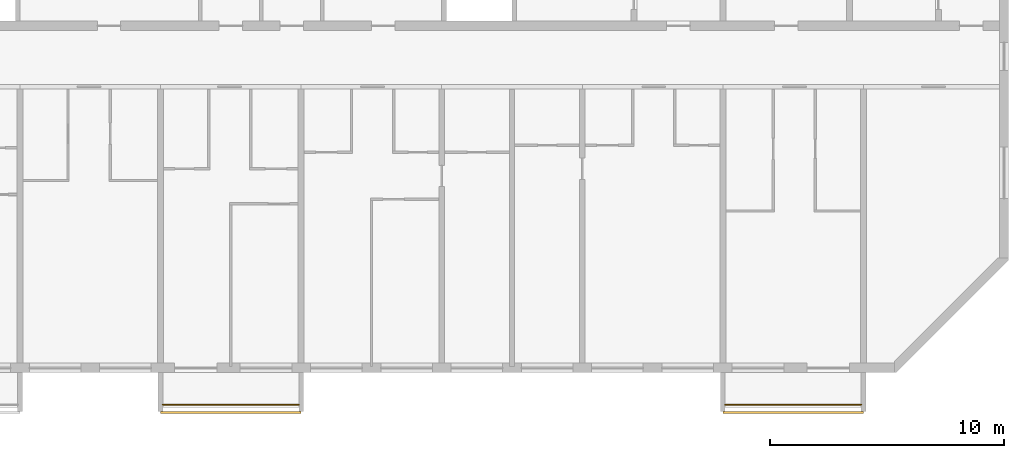
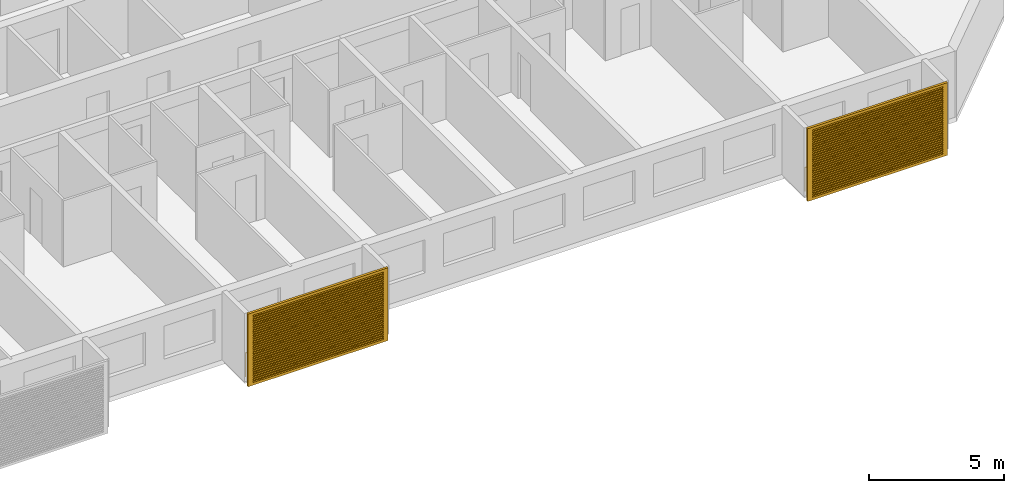
# One storey, part 14 of 27: 2 railings, 2 shading devices.
"""IFC4 building model written with IfcOpenShell, lengths in metres."""

from ifc_helpers import new_model, si_unit, direction, frame, origin, origin_2d, place, context, subcontext, project, spatial, polyline, circle, outline, extrude, source, transform, mapped, material, material_profile, profile_set, type_object, element, save


model = new_model("IFC4")

# Units and contexts
model_context = context("Model", 3, precision=1e-05, world=origin(), true_north=direction((0.0, 1.0)))
body_context = subcontext(model_context, "Body", "Model", "MODEL_VIEW")
ifc_project = project(units=[si_unit("LENGTHUNIT", "METRE"), si_unit("AREAUNIT", "SQUARE_METRE"), si_unit("VOLUMEUNIT", "CUBIC_METRE"), si_unit("PLANEANGLEUNIT", "RADIAN"), si_unit("MASSUNIT", "GRAM", prefix="KILO")], contexts=[model_context])

# Site, building, storey
site_placement = place(None, origin())
site = spatial("IfcSite", under=ifc_project, at=site_placement, CompositionType="ELEMENT")
building_placement = place(site_placement, origin())
building = spatial("IfcBuilding", under=site, at=building_placement, Name="Poui Terraces", CompositionType="ELEMENT")
storey_placement = place(building_placement, frame((0.0, 0.0, 208.199951171875)))
storey = spatial("IfcBuildingStorey", under=building, at=storey_placement, Name="L58", CompositionType="ELEMENT", Elevation=208.199951171875)

# Railings
ifc_material_1 = material(Name="Painted steel fretwork", Category="steel")
railing_type = type_object("IfcRailingType", Name="BALCONY GUARD 1100", PredefinedType="GUARDRAIL", material=ifc_material_1)
for number, where, name in (
    (1, (48.10009765625, -1.570068359375, 0.0), "BALCONY GUARD"),
    (2, (72.10009765625, -1.570068359375, 0.0), "BALCONY GUARD"),
):
    element("IfcRailing", number, at=place(storey_placement, frame(where)), inside=storey, type_object=railing_type, Name=name, PredefinedType="GUARDRAIL", context=body_context, shape_type="SweptSolid", body=[
        extrude(circle(Radius=0.02392578125, at=origin_2d()), frame((0.0, 0.0, 1.076171875), z_axis=(1.0, 0.0, 0.0), x_axis=(0.0, 1.0, 0.0)), (0.0, 0.0, 1.0), 5.7998046875),
        extrude(circle(Radius=0.02099609375, at=origin_2d()), origin(), (0.0, 0.0, 1.0), 1.052001953125),
        extrude(circle(Radius=0.02099609375, at=origin_2d()), frame((0.966552734375, 0.0, 0.0)), (0.0, 0.0, 1.0), 1.052001953125),
        extrude(circle(Radius=0.02099609375, at=origin_2d()), frame((1.933349609375, 0.0, 0.0)), (0.0, 0.0, 1.0), 1.052001953125),
        extrude(circle(Radius=0.02099609375, at=origin_2d()), frame((2.89990234375, 0.0, 0.0)), (0.0, 0.0, 1.0), 1.052001953125),
        extrude(circle(Radius=0.02099609375, at=origin_2d()), frame((3.866455078125, 0.0, 0.0)), (0.0, 0.0, 1.0), 1.052001953125),
        extrude(circle(Radius=0.02099609375, at=origin_2d()), frame((4.833251953125, 0.0, 0.0)), (0.0, 0.0, 1.0), 1.052001953125),
        extrude(circle(Radius=0.02099609375, at=origin_2d()), frame((5.7998046875, 0.0, 0.0)), (0.0, 0.0, 1.0), 1.052001953125),
    ])

# Shading devices
ifc_material_2 = material(Name="Aluminium louvre", Category="aluminium")
ifc_material_profile = material_profile(ifc_material_2, outline(polyline([(-3.0, -1.64990234375), (3.0, -1.64990234375), (3.0, 1.64990234375), (-3.0, 1.64990234375), (-3.0, -1.64990234375)]), holes=[polyline([(-2.800048828125, -1.530029296875), (2.800048828125, -1.530029296875), (2.800048828125, -1.469970703125), (-2.800048828125, -1.469970703125), (-2.800048828125, -1.530029296875)]), polyline([(-2.800048828125, -1.429931640625), (2.800048828125, -1.429931640625), (2.800048828125, -1.3701171875), (-2.800048828125, -1.3701171875), (-2.800048828125, -1.429931640625)]), polyline([(-2.800048828125, -1.330078125), (2.800048828125, -1.330078125), (2.800048828125, -1.27001953125), (-2.800048828125, -1.27001953125), (-2.800048828125, -1.330078125)]), polyline([(-2.800048828125, -1.22998046875), (2.800048828125, -1.22998046875), (2.800048828125, -1.169921875), (-2.800048828125, -1.169921875), (-2.800048828125, -1.22998046875)]), polyline([(-2.800048828125, -1.1298828125), (2.800048828125, -1.1298828125), (2.800048828125, -1.070068359375), (-2.800048828125, -1.070068359375), (-2.800048828125, -1.1298828125)]), polyline([(-2.800048828125, -1.030029296875), (2.800048828125, -1.030029296875), (2.800048828125, -0.969970703125), (-2.800048828125, -0.969970703125), (-2.800048828125, -1.030029296875)]), polyline([(-2.800048828125, -0.929931640625), (2.800048828125, -0.929931640625), (2.800048828125, -0.8701171875), (-2.800048828125, -0.8701171875), (-2.800048828125, -0.929931640625)]), polyline([(-2.800048828125, -0.830078125), (2.800048828125, -0.830078125), (2.800048828125, -0.77001953125), (-2.800048828125, -0.77001953125), (-2.800048828125, -0.830078125)]), polyline([(-2.800048828125, -0.72998046875), (2.800048828125, -0.72998046875), (2.800048828125, -0.669921875), (-2.800048828125, -0.669921875), (-2.800048828125, -0.72998046875)]), polyline([(-2.800048828125, -0.6298828125), (2.800048828125, -0.6298828125), (2.800048828125, -0.570068359375), (-2.800048828125, -0.570068359375), (-2.800048828125, -0.6298828125)]), polyline([(-2.800048828125, -0.530029296875), (2.800048828125, -0.530029296875), (2.800048828125, -0.469970703125), (-2.800048828125, -0.469970703125), (-2.800048828125, -0.530029296875)]), polyline([(-2.800048828125, -0.429931640625), (2.800048828125, -0.429931640625), (2.800048828125, -0.3701171875), (-2.800048828125, -0.3701171875), (-2.800048828125, -0.429931640625)]), polyline([(-2.800048828125, -0.330078125), (2.800048828125, -0.330078125), (2.800048828125, -0.27001953125), (-2.800048828125, -0.27001953125), (-2.800048828125, -0.330078125)]), polyline([(-2.800048828125, -0.22998046875), (2.800048828125, -0.22998046875), (2.800048828125, -0.169921875), (-2.800048828125, -0.169921875), (-2.800048828125, -0.22998046875)]), polyline([(-2.800048828125, -0.1298828125), (2.800048828125, -0.1298828125), (2.800048828125, -0.070068359375), (-2.800048828125, -0.070068359375), (-2.800048828125, -0.1298828125)]), polyline([(-2.800048828125, -0.030029296875), (2.800048828125, -0.030029296875), (2.800048828125, 0.030029296875), (-2.800048828125, 0.030029296875), (-2.800048828125, -0.030029296875)]), polyline([(-2.800048828125, 0.070068359375), (2.800048828125, 0.070068359375), (2.800048828125, 0.1298828125), (-2.800048828125, 0.1298828125), (-2.800048828125, 0.070068359375)]), polyline([(-2.800048828125, 0.169921875), (2.800048828125, 0.169921875), (2.800048828125, 0.22998046875), (-2.800048828125, 0.22998046875), (-2.800048828125, 0.169921875)]), polyline([(-2.800048828125, 0.27001953125), (2.800048828125, 0.27001953125), (2.800048828125, 0.330078125), (-2.800048828125, 0.330078125), (-2.800048828125, 0.27001953125)]), polyline([(-2.800048828125, 0.3701171875), (2.800048828125, 0.3701171875), (2.800048828125, 0.429931640625), (-2.800048828125, 0.429931640625), (-2.800048828125, 0.3701171875)]), polyline([(-2.800048828125, 0.469970703125), (2.800048828125, 0.469970703125), (2.800048828125, 0.530029296875), (-2.800048828125, 0.530029296875), (-2.800048828125, 0.469970703125)]), polyline([(-2.800048828125, 0.570068359375), (2.800048828125, 0.570068359375), (2.800048828125, 0.6298828125), (-2.800048828125, 0.6298828125), (-2.800048828125, 0.570068359375)]), polyline([(-2.800048828125, 0.669921875), (2.800048828125, 0.669921875), (2.800048828125, 0.72998046875), (-2.800048828125, 0.72998046875), (-2.800048828125, 0.669921875)]), polyline([(-2.800048828125, 0.77001953125), (2.800048828125, 0.77001953125), (2.800048828125, 0.830078125), (-2.800048828125, 0.830078125), (-2.800048828125, 0.77001953125)]), polyline([(-2.800048828125, 0.8701171875), (2.800048828125, 0.8701171875), (2.800048828125, 0.929931640625), (-2.800048828125, 0.929931640625), (-2.800048828125, 0.8701171875)]), polyline([(-2.800048828125, 0.969970703125), (2.800048828125, 0.969970703125), (2.800048828125, 1.030029296875), (-2.800048828125, 1.030029296875), (-2.800048828125, 0.969970703125)]), polyline([(-2.800048828125, 1.070068359375), (2.800048828125, 1.070068359375), (2.800048828125, 1.1298828125), (-2.800048828125, 1.1298828125), (-2.800048828125, 1.070068359375)]), polyline([(-2.800048828125, 1.169921875), (2.800048828125, 1.169921875), (2.800048828125, 1.22998046875), (-2.800048828125, 1.22998046875), (-2.800048828125, 1.169921875)]), polyline([(-2.800048828125, 1.27001953125), (2.800048828125, 1.27001953125), (2.800048828125, 1.330078125), (-2.800048828125, 1.330078125), (-2.800048828125, 1.27001953125)]), polyline([(-2.800048828125, 1.3701171875), (2.800048828125, 1.3701171875), (2.800048828125, 1.429931640625), (-2.800048828125, 1.429931640625), (-2.800048828125, 1.3701171875)]), polyline([(-2.800048828125, 1.469970703125), (2.800048828125, 1.469970703125), (2.800048828125, 1.530029296875), (-2.800048828125, 1.530029296875), (-2.800048828125, 1.469970703125)])]), Name="JALOUSIE LOUVRE SHUTTER 6000X3300")
ifc_profile_set = profile_set([ifc_material_profile], Name="Aluminium louvre")
shading_device_type = type_object("IfcShadingDeviceType", Name="JALOUSIE LOUVRE SHUTTER 6000X3300", PredefinedType="JALOUSIE", material=ifc_profile_set)
shared_shape = source(origin(), body_context, "Body", "SweptSolid", [
    extrude(outline(polyline([(-3.0, -1.64990234375), (3.0, -1.64990234375), (3.0, 1.64990234375), (-3.0, 1.64990234375), (-3.0, -1.64990234375)]), holes=[polyline([(-2.800048828125, -1.530029296875), (2.800048828125, -1.530029296875), (2.800048828125, -1.469970703125), (-2.800048828125, -1.469970703125), (-2.800048828125, -1.530029296875)]), polyline([(-2.800048828125, -1.429931640625), (2.800048828125, -1.429931640625), (2.800048828125, -1.3701171875), (-2.800048828125, -1.3701171875), (-2.800048828125, -1.429931640625)]), polyline([(-2.800048828125, -1.330078125), (2.800048828125, -1.330078125), (2.800048828125, -1.27001953125), (-2.800048828125, -1.27001953125), (-2.800048828125, -1.330078125)]), polyline([(-2.800048828125, -1.22998046875), (2.800048828125, -1.22998046875), (2.800048828125, -1.169921875), (-2.800048828125, -1.169921875), (-2.800048828125, -1.22998046875)]), polyline([(-2.800048828125, -1.1298828125), (2.800048828125, -1.1298828125), (2.800048828125, -1.070068359375), (-2.800048828125, -1.070068359375), (-2.800048828125, -1.1298828125)]), polyline([(-2.800048828125, -1.030029296875), (2.800048828125, -1.030029296875), (2.800048828125, -0.969970703125), (-2.800048828125, -0.969970703125), (-2.800048828125, -1.030029296875)]), polyline([(-2.800048828125, -0.929931640625), (2.800048828125, -0.929931640625), (2.800048828125, -0.8701171875), (-2.800048828125, -0.8701171875), (-2.800048828125, -0.929931640625)]), polyline([(-2.800048828125, -0.830078125), (2.800048828125, -0.830078125), (2.800048828125, -0.77001953125), (-2.800048828125, -0.77001953125), (-2.800048828125, -0.830078125)]), polyline([(-2.800048828125, -0.72998046875), (2.800048828125, -0.72998046875), (2.800048828125, -0.669921875), (-2.800048828125, -0.669921875), (-2.800048828125, -0.72998046875)]), polyline([(-2.800048828125, -0.6298828125), (2.800048828125, -0.6298828125), (2.800048828125, -0.570068359375), (-2.800048828125, -0.570068359375), (-2.800048828125, -0.6298828125)]), polyline([(-2.800048828125, -0.530029296875), (2.800048828125, -0.530029296875), (2.800048828125, -0.469970703125), (-2.800048828125, -0.469970703125), (-2.800048828125, -0.530029296875)]), polyline([(-2.800048828125, -0.429931640625), (2.800048828125, -0.429931640625), (2.800048828125, -0.3701171875), (-2.800048828125, -0.3701171875), (-2.800048828125, -0.429931640625)]), polyline([(-2.800048828125, -0.330078125), (2.800048828125, -0.330078125), (2.800048828125, -0.27001953125), (-2.800048828125, -0.27001953125), (-2.800048828125, -0.330078125)]), polyline([(-2.800048828125, -0.22998046875), (2.800048828125, -0.22998046875), (2.800048828125, -0.169921875), (-2.800048828125, -0.169921875), (-2.800048828125, -0.22998046875)]), polyline([(-2.800048828125, -0.1298828125), (2.800048828125, -0.1298828125), (2.800048828125, -0.070068359375), (-2.800048828125, -0.070068359375), (-2.800048828125, -0.1298828125)]), polyline([(-2.800048828125, -0.030029296875), (2.800048828125, -0.030029296875), (2.800048828125, 0.030029296875), (-2.800048828125, 0.030029296875), (-2.800048828125, -0.030029296875)]), polyline([(-2.800048828125, 0.070068359375), (2.800048828125, 0.070068359375), (2.800048828125, 0.1298828125), (-2.800048828125, 0.1298828125), (-2.800048828125, 0.070068359375)]), polyline([(-2.800048828125, 0.169921875), (2.800048828125, 0.169921875), (2.800048828125, 0.22998046875), (-2.800048828125, 0.22998046875), (-2.800048828125, 0.169921875)]), polyline([(-2.800048828125, 0.27001953125), (2.800048828125, 0.27001953125), (2.800048828125, 0.330078125), (-2.800048828125, 0.330078125), (-2.800048828125, 0.27001953125)]), polyline([(-2.800048828125, 0.3701171875), (2.800048828125, 0.3701171875), (2.800048828125, 0.429931640625), (-2.800048828125, 0.429931640625), (-2.800048828125, 0.3701171875)]), polyline([(-2.800048828125, 0.469970703125), (2.800048828125, 0.469970703125), (2.800048828125, 0.530029296875), (-2.800048828125, 0.530029296875), (-2.800048828125, 0.469970703125)]), polyline([(-2.800048828125, 0.570068359375), (2.800048828125, 0.570068359375), (2.800048828125, 0.6298828125), (-2.800048828125, 0.6298828125), (-2.800048828125, 0.570068359375)]), polyline([(-2.800048828125, 0.669921875), (2.800048828125, 0.669921875), (2.800048828125, 0.72998046875), (-2.800048828125, 0.72998046875), (-2.800048828125, 0.669921875)]), polyline([(-2.800048828125, 0.77001953125), (2.800048828125, 0.77001953125), (2.800048828125, 0.830078125), (-2.800048828125, 0.830078125), (-2.800048828125, 0.77001953125)]), polyline([(-2.800048828125, 0.8701171875), (2.800048828125, 0.8701171875), (2.800048828125, 0.929931640625), (-2.800048828125, 0.929931640625), (-2.800048828125, 0.8701171875)]), polyline([(-2.800048828125, 0.969970703125), (2.800048828125, 0.969970703125), (2.800048828125, 1.030029296875), (-2.800048828125, 1.030029296875), (-2.800048828125, 0.969970703125)]), polyline([(-2.800048828125, 1.070068359375), (2.800048828125, 1.070068359375), (2.800048828125, 1.1298828125), (-2.800048828125, 1.1298828125), (-2.800048828125, 1.070068359375)]), polyline([(-2.800048828125, 1.169921875), (2.800048828125, 1.169921875), (2.800048828125, 1.22998046875), (-2.800048828125, 1.22998046875), (-2.800048828125, 1.169921875)]), polyline([(-2.800048828125, 1.27001953125), (2.800048828125, 1.27001953125), (2.800048828125, 1.330078125), (-2.800048828125, 1.330078125), (-2.800048828125, 1.27001953125)]), polyline([(-2.800048828125, 1.3701171875), (2.800048828125, 1.3701171875), (2.800048828125, 1.429931640625), (-2.800048828125, 1.429931640625), (-2.800048828125, 1.3701171875)]), polyline([(-2.800048828125, 1.469970703125), (2.800048828125, 1.469970703125), (2.800048828125, 1.530029296875), (-2.800048828125, 1.530029296875), (-2.800048828125, 1.469970703125)])]), origin(), (0.0, 0.0, 1.0), 0.099853515625),
])
for number, where, z_axis, x_axis, name in (
    (3, (51.0, -1.85009765625, 1.449951171875), (0.0, -1.0, 0.0), (1.0, 0.0, 0.0), "JALOUSIE LOUVRE SHUTTER"),
    (4, (75.0, -1.85009765625, 1.449951171875), (0.0, -1.0, 0.0), (1.0, 0.0, 0.0), "JALOUSIE LOUVRE SHUTTER"),
):
    element("IfcShadingDevice", number, at=place(storey_placement, frame(where, z_axis=z_axis, x_axis=x_axis)), inside=storey, type_object=shading_device_type, Name=name, PredefinedType="JALOUSIE", context=body_context, shape_type="MappedRepresentation", body=[
        mapped(shared_shape, transform((0.0, 0.0, 0.0))),
    ])

save(model, "model.ifc")
